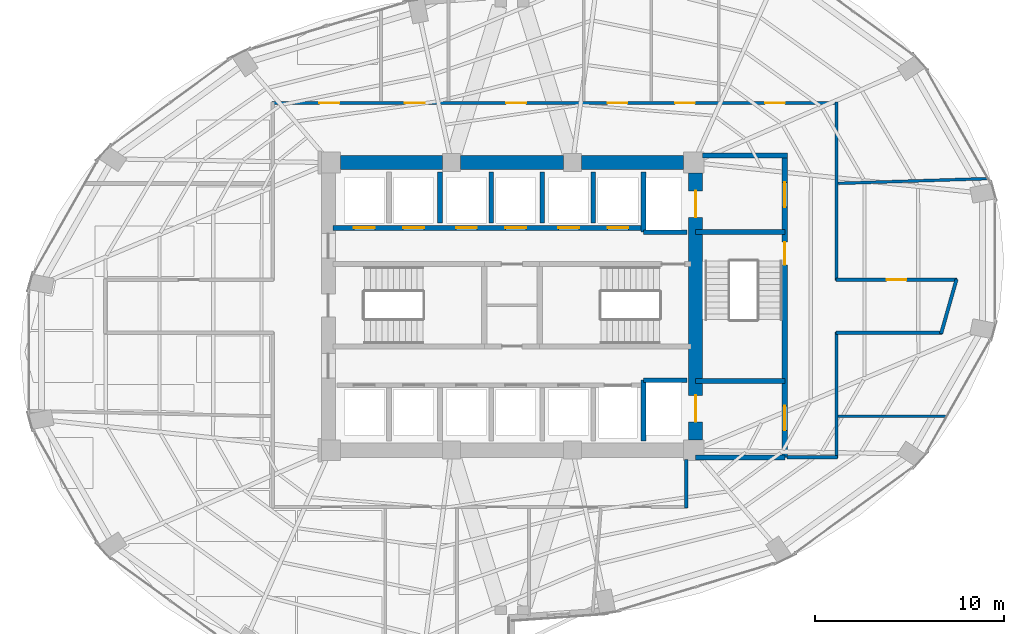
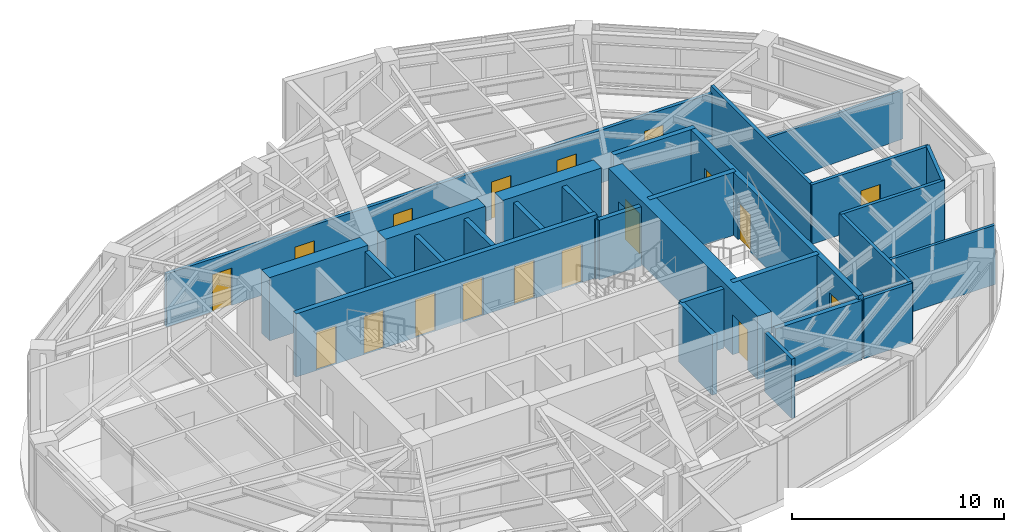
# One storey, part 20 of 23: 28 walls, 18 doors, 18 openings.
"""IFC4 building model written with IfcOpenShell, lengths in metres."""

from ifc_helpers import new_model, si_unit, direction, frame, frame_2d, origin, place, context, subcontext, project, spatial, rectangle, extrude, material, layer, layer_set, type_object, element, fill, save


model = new_model("IFC4")

# Units and contexts
model_context = context("Model", 3, precision=1e-05, world=origin(), true_north=direction((0.0, 1.0)))
body_context = subcontext(model_context, "Body", "Model", "MODEL_VIEW")
ifc_project = project(units=[si_unit("LENGTHUNIT", "METRE"), si_unit("AREAUNIT", "SQUARE_METRE"), si_unit("VOLUMEUNIT", "CUBIC_METRE"), si_unit("PLANEANGLEUNIT", "RADIAN"), si_unit("MASSUNIT", "GRAM", prefix="KILO")], contexts=[model_context])

# Site, building, storey
site_placement = place(None, origin())
site = spatial("IfcSite", under=ifc_project, at=site_placement, CompositionType="ELEMENT")
building_placement = place(site_placement, origin())
building = spatial("IfcBuilding", under=site, at=building_placement, Name="Lazwardi Medical Tower", CompositionType="ELEMENT")
storey_placement = place(building_placement, frame((0.0, 0.0, 81.743896484375)))
storey = spatial("IfcBuildingStorey", under=building, at=storey_placement, Name="L20", CompositionType="ELEMENT", Elevation=81.743896484375)

# Wall, openings, doors
ifc_material_1 = material(Name="Fire-rated gypsum board on steel stud", Category="steel")
ifc_layer_1 = layer(ifc_material_1, 0.179931640625)
ifc_layer_set_1 = layer_set([ifc_layer_1], Name="Fire-rated gypsum board on steel stud")
wall_type_1 = type_object("IfcWallType", Name="WL-COR-180", PredefinedType="PARTITIONING", material=ifc_layer_set_1)
wall_1_placement = place(storey_placement, frame((23.31005859375, 38.75, 0.0), z_axis=(0.0, 0.0, 1.0), x_axis=(1.0, 0.0, 0.0)))
wall_1 = element("IfcWall", 1, at=wall_1_placement, inside=storey, type_object=wall_type_1, Name="L20 Corridor partition 4", PredefinedType="PARTITIONING", context=body_context, shape_type="SweptSolid", body=[
    extrude(rectangle(XDim=29.8798828125, YDim=0.179931640625, at=frame_2d((14.93994140625, 0.0))), origin(), (0.0, 0.0, 1.0), 3.05322265625),
])
opening_1_placement = place(wall_1_placement, frame((26.06591796875, 0.0, 0.0)))
opening_1 = element("IfcOpeningElement", 2, at=opening_1_placement, cuts=wall_1, Name="Opening D-L20-013", PredefinedType="OPENING", context=body_context, shape_type="SweptSolid", body=[
    extrude(rectangle(XDim=1.050048828125, YDim=2.14990234375, at=frame_2d((0.52490234375, 1.074951171875))), frame((0.0, 0.099853515625, 0.0), z_axis=(0.0, -1.0, 0.0), x_axis=(1.0, 0.0, 0.0)), (0.0, 0.0, 1.0), 0.199951171875),
])
opening_2_placement = place(wall_1_placement, frame((21.31005859375, 0.0, 0.0)))
opening_2 = element("IfcOpeningElement", 3, at=opening_2_placement, cuts=wall_1, Name="Opening D-L20-014", PredefinedType="OPENING", context=body_context, shape_type="SweptSolid", body=[
    extrude(rectangle(XDim=1.050048828125, YDim=2.14990234375, at=frame_2d((0.52490234375, 1.074951171875))), frame((0.0, 0.099853515625, 0.0), z_axis=(0.0, -1.0, 0.0), x_axis=(1.0, 0.0, 0.0)), (0.0, 0.0, 1.0), 0.199951171875),
])
opening_3_placement = place(wall_1_placement, frame((17.739990234375, 0.0, 0.0)))
opening_3 = element("IfcOpeningElement", 4, at=opening_3_placement, cuts=wall_1, Name="Opening D-L20-015", PredefinedType="OPENING", context=body_context, shape_type="SweptSolid", body=[
    extrude(rectangle(XDim=1.050048828125, YDim=2.14990234375, at=frame_2d((0.52490234375, 1.074951171875))), frame((0.0, 0.099853515625, 0.0), z_axis=(0.0, -1.0, 0.0), x_axis=(1.0, 0.0, 0.0)), (0.0, 0.0, 1.0), 0.199951171875),
])
opening_4_placement = place(wall_1_placement, frame((12.3798828125, 0.0, 0.0)))
opening_4 = element("IfcOpeningElement", 5, at=opening_4_placement, cuts=wall_1, Name="Opening D-L20-016", PredefinedType="OPENING", context=body_context, shape_type="SweptSolid", body=[
    extrude(rectangle(XDim=1.050048828125, YDim=2.14990234375, at=frame_2d((0.52490234375, 1.074951171875))), frame((0.0, 0.099853515625, 0.0), z_axis=(0.0, -1.0, 0.0), x_axis=(1.0, 0.0, 0.0)), (0.0, 0.0, 1.0), 0.199951171875),
])
opening_5_placement = place(wall_1_placement, frame((7.02001953125, 0.0, 0.0)))
opening_5 = element("IfcOpeningElement", 6, at=opening_5_placement, cuts=wall_1, Name="Opening D-L20-017", PredefinedType="OPENING", context=body_context, shape_type="SweptSolid", body=[
    extrude(rectangle(XDim=1.050048828125, YDim=2.14990234375, at=frame_2d((0.52490234375, 1.074951171875))), frame((0.0, 0.099853515625, 0.0), z_axis=(0.0, -1.0, 0.0), x_axis=(1.0, 0.0, 0.0)), (0.0, 0.0, 1.0), 0.199951171875),
])
opening_6_placement = place(wall_1_placement, frame((2.513916015625, 0.0, 0.0)))
opening_6 = element("IfcOpeningElement", 7, at=opening_6_placement, cuts=wall_1, Name="Opening D-L20-018", PredefinedType="OPENING", context=body_context, shape_type="SweptSolid", body=[
    extrude(rectangle(XDim=1.050048828125, YDim=2.14990234375, at=frame_2d((0.52490234375, 1.074951171875))), frame((0.0, 0.099853515625, 0.0), z_axis=(0.0, -1.0, 0.0), x_axis=(1.0, 0.0, 0.0)), (0.0, 0.0, 1.0), 0.199951171875),
])
ifc_material_2 = material(Name="Anti-microbial laminate hospital leaf")
door_type_1 = type_object("IfcDoorType", Name="DR-CLN-1050", OperationType="NOTDEFINED", PredefinedType="DOOR", material=ifc_material_2)
door_1_placement = place(opening_1_placement, origin())
door_1 = element("IfcDoor", 8, at=door_1_placement, inside=storey, type_object=door_type_1, Name="L20 Outpatient Consultation Suite Door 07", OperationType="SINGLE_SWING_LEFT", OverallHeight=2.14990234375, OverallWidth=1.050048828125, PredefinedType="DOOR", context=body_context, shape_type="SweptSolid", body=[
    extrude(rectangle(XDim=1.050048828125, YDim=2.14990234375, at=frame_2d((0.52490234375, 1.074951171875))), frame((0.0, 0.02490234375, 0.0), z_axis=(0.0, -1.0, 0.0), x_axis=(1.0, 0.0, 0.0)), (0.0, 0.0, 1.0), 0.050048828125),
])
fill(opening_1, door_1)
door_2_placement = place(opening_2_placement, origin())
door_2 = element("IfcDoor", 9, at=door_2_placement, inside=storey, type_object=door_type_1, Name="L20 Outpatient Consultation Suite Door 08", OperationType="SINGLE_SWING_RIGHT", OverallHeight=2.14990234375, OverallWidth=1.050048828125, PredefinedType="DOOR", context=body_context, shape_type="SweptSolid", body=[
    extrude(rectangle(XDim=1.050048828125, YDim=2.14990234375, at=frame_2d((0.52490234375, 1.074951171875))), frame((0.0, 0.02490234375, 0.0), z_axis=(0.0, -1.0, 0.0), x_axis=(1.0, 0.0, 0.0)), (0.0, 0.0, 1.0), 0.050048828125),
])
fill(opening_2, door_2)
door_3_placement = place(opening_3_placement, origin())
door_3 = element("IfcDoor", 10, at=door_3_placement, inside=storey, type_object=door_type_1, Name="L20 Outpatient Consultation Suite Door 09", OperationType="SINGLE_SWING_LEFT", OverallHeight=2.14990234375, OverallWidth=1.050048828125, PredefinedType="DOOR", context=body_context, shape_type="SweptSolid", body=[
    extrude(rectangle(XDim=1.050048828125, YDim=2.14990234375, at=frame_2d((0.52490234375, 1.074951171875))), frame((0.0, 0.02490234375, 0.0), z_axis=(0.0, -1.0, 0.0), x_axis=(1.0, 0.0, 0.0)), (0.0, 0.0, 1.0), 0.050048828125),
])
fill(opening_3, door_3)
door_4_placement = place(opening_4_placement, origin())
door_4 = element("IfcDoor", 11, at=door_4_placement, inside=storey, type_object=door_type_1, Name="L20 Outpatient Consultation Suite Door 10", OperationType="SINGLE_SWING_RIGHT", OverallHeight=2.14990234375, OverallWidth=1.050048828125, PredefinedType="DOOR", context=body_context, shape_type="SweptSolid", body=[
    extrude(rectangle(XDim=1.050048828125, YDim=2.14990234375, at=frame_2d((0.52490234375, 1.074951171875))), frame((0.0, 0.02490234375, 0.0), z_axis=(0.0, -1.0, 0.0), x_axis=(1.0, 0.0, 0.0)), (0.0, 0.0, 1.0), 0.050048828125),
])
fill(opening_4, door_4)
door_5_placement = place(opening_5_placement, origin())
door_5 = element("IfcDoor", 12, at=door_5_placement, inside=storey, type_object=door_type_1, Name="L20 Outpatient Consultation Suite Door 11", OperationType="SINGLE_SWING_LEFT", OverallHeight=2.14990234375, OverallWidth=1.050048828125, PredefinedType="DOOR", context=body_context, shape_type="SweptSolid", body=[
    extrude(rectangle(XDim=1.050048828125, YDim=2.14990234375, at=frame_2d((0.52490234375, 1.074951171875))), frame((0.0, 0.02490234375, 0.0), z_axis=(0.0, -1.0, 0.0), x_axis=(1.0, 0.0, 0.0)), (0.0, 0.0, 1.0), 0.050048828125),
])
fill(opening_5, door_5)
door_6_placement = place(opening_6_placement, origin())
door_6 = element("IfcDoor", 13, at=door_6_placement, inside=storey, type_object=door_type_1, Name="L20 Outpatient Consultation Suite Door 12", OperationType="SINGLE_SWING_RIGHT", OverallHeight=2.14990234375, OverallWidth=1.050048828125, PredefinedType="DOOR", context=body_context, shape_type="SweptSolid", body=[
    extrude(rectangle(XDim=1.050048828125, YDim=2.14990234375, at=frame_2d((0.52490234375, 1.074951171875))), frame((0.0, 0.02490234375, 0.0), z_axis=(0.0, -1.0, 0.0), x_axis=(1.0, 0.0, 0.0)), (0.0, 0.0, 1.0), 0.050048828125),
])
fill(opening_6, door_6)

# Wall
wall_2_placement = place(storey_placement, frame((53.14990234375, 38.7900390625, 0.0), z_axis=(0.0, 0.0, 1.0), x_axis=(0.0, -1.0, 0.0)))
element("IfcWall", 14, at=wall_2_placement, inside=storey, type_object=wall_type_1, Name="L20 Corridor partition 5", PredefinedType="PARTITIONING", context=body_context, shape_type="SweptSolid", body=[
    extrude(rectangle(XDim=9.429931640625, YDim=0.179931640625, at=frame_2d((4.71484375, 0.0))), origin(), (0.0, 0.0, 1.0), 3.42822265625),
])

# Wall, opening, door
wall_3_placement = place(storey_placement, frame((53.110107421875, 29.39990234375, 0.0), z_axis=(0.0, 0.0, 1.0), x_axis=(1.0, 0.0, 0.0)))
wall_3 = element("IfcWall", 15, at=wall_3_placement, inside=storey, type_object=wall_type_1, Name="L20 Corridor partition 6", PredefinedType="PARTITIONING", context=body_context, shape_type="SweptSolid", body=[
    extrude(rectangle(XDim=6.41259765625, YDim=0.179931640625, at=frame_2d((3.206298828125, 0.0))), origin(), (0.0, 0.0, 1.0), 3.42822265625),
])
opening_7_placement = place(wall_3_placement, frame((2.681396484375, 0.0, 0.0)))
opening_7 = element("IfcOpeningElement", 16, at=opening_7_placement, cuts=wall_3, Name="Opening D-L20-012", PredefinedType="OPENING", context=body_context, shape_type="SweptSolid", body=[
    extrude(rectangle(XDim=1.050048828125, YDim=2.14990234375, at=frame_2d((0.52490234375, 1.074951171875))), frame((0.0, 0.099853515625, 0.0), z_axis=(0.0, -1.0, 0.0), x_axis=(1.0, 0.0, 0.0)), (0.0, 0.0, 1.0), 0.199951171875),
])
door_7_placement = place(opening_7_placement, origin())
door_7 = element("IfcDoor", 17, at=door_7_placement, inside=storey, type_object=door_type_1, Name="L20 Outpatient Consultation Suite Door 06", OperationType="SINGLE_SWING_RIGHT", OverallHeight=2.14990234375, OverallWidth=1.050048828125, PredefinedType="DOOR", context=body_context, shape_type="SweptSolid", body=[
    extrude(rectangle(XDim=1.050048828125, YDim=2.14990234375, at=frame_2d((0.52490234375, 1.074951171875))), frame((0.0, 0.02490234375, 0.0), z_axis=(0.0, -1.0, 0.0), x_axis=(1.0, 0.0, 0.0)), (0.0, 0.0, 1.0), 0.050048828125),
])
fill(opening_7, door_7)

# Walls
wall_4_placement = place(storey_placement, frame((59.49365234375, 29.4384765625, 0.0), z_axis=(0.0, 0.0, 1.0), x_axis=(-0.273222154729, -0.961950962453, 0.0)))
element("IfcWall", 18, at=wall_4_placement, inside=storey, type_object=wall_type_1, Name="L20 Corridor partition 7", PredefinedType="PARTITIONING", context=body_context, shape_type="SweptSolid", body=[
    extrude(rectangle(XDim=2.99072265625, YDim=0.179931640625, at=frame_2d((1.495361328125, 0.0))), origin(), (0.0, 0.0, 1.0), 3.42822265625),
])
wall_5_placement = place(storey_placement, frame((58.727294921875, 26.60009765625, 0.0), z_axis=(0.0, 0.0, 1.0), x_axis=(-1.0, 0.0, 0.0)))
element("IfcWall", 19, at=wall_5_placement, inside=storey, type_object=wall_type_1, Name="L20 Corridor partition 8", PredefinedType="PARTITIONING", context=body_context, shape_type="SweptSolid", body=[
    extrude(rectangle(XDim=5.6171875, YDim=0.179931640625, at=frame_2d((2.80859375, 0.0))), origin(), (0.0, 0.0, 1.0), 3.42822265625),
])
wall_6_placement = place(storey_placement, frame((53.14990234375, 26.639892578125, 0.0), z_axis=(0.0, 0.0, 1.0), x_axis=(0.0, -1.0, 0.0)))
element("IfcWall", 20, at=wall_6_placement, inside=storey, type_object=wall_type_1, Name="L20 Corridor partition 9", PredefinedType="PARTITIONING", context=body_context, shape_type="SweptSolid", body=[
    extrude(rectangle(XDim=6.659912109375, YDim=0.179931640625, at=frame_2d((3.330078125, 0.0))), origin(), (0.0, 0.0, 1.0), 3.42822265625),
])
wall_7_placement = place(storey_placement, frame((53.18994140625, 20.02001953125, 0.0), z_axis=(0.0, 0.0, 1.0), x_axis=(-1.0, 0.0, 0.0)))
element("IfcWall", 21, at=wall_7_placement, inside=storey, type_object=wall_type_1, Name="L20 Corridor partition 10", PredefinedType="PARTITIONING", context=body_context, shape_type="SweptSolid", body=[
    extrude(rectangle(XDim=2.64990234375, YDim=0.179931640625, at=frame_2d((1.324951171875, 0.0))), origin(), (0.0, 0.0, 1.0), 3.42822265625),
])
wall_8_placement = place(storey_placement, frame((45.199951171875, 19.909912109375, 0.0), z_axis=(0.0, 0.0, 1.0), x_axis=(0.0, -1.0, 0.0)))
element("IfcWall", 22, at=wall_8_placement, inside=storey, type_object=wall_type_1, Name="L20 Corridor partition 13", PredefinedType="PARTITIONING", context=body_context, shape_type="SweptSolid", body=[
    extrude(rectangle(XDim=2.5498046875, YDim=0.179931640625, at=frame_2d((1.27490234375, 0.0))), origin(), (0.0, 0.0, 1.0), 3.42822265625),
])

# Wall, openings, doors
ifc_material_3 = material(Name="Concrete C70/85", Category="concrete")
ifc_layer_2 = layer(ifc_material_3, 0.75)
ifc_layer_set_2 = layer_set([ifc_layer_2], Name="Concrete C70/85")
wall_type_2 = type_object("IfcWallType", Name="WL-CORE-750", PredefinedType="SHEAR", material=ifc_layer_set_2)
wall_9_placement = place(storey_placement, frame((45.699951171875, 20.949951171875, 0.0), z_axis=(0.0, 0.0, 1.0), x_axis=(0.0, 1.0, 0.0)))
wall_9 = element("IfcWall", 23, at=wall_9_placement, inside=storey, type_object=wall_type_2, Name="Core wall CW-S2 east L20", PredefinedType="SHEAR", context=body_context, shape_type="SweptSolid", body=[
    extrude(rectangle(XDim=14.10009765625, YDim=0.75, at=frame_2d((7.050048828125, 0.0))), origin(), (0.0, 0.0, 1.0), 3.648193359375),
])
opening_8_placement = place(wall_9_placement, frame((11.75, 0.0, 0.0)))
opening_8 = element("IfcOpeningElement", 24, at=opening_8_placement, cuts=wall_9, Name="Opening LD-L20-001", PredefinedType="OPENING", context=body_context, shape_type="SweptSolid", body=[
    extrude(rectangle(XDim=1.39990234375, YDim=2.300048828125, at=frame_2d((0.699951171875, 1.14990234375))), frame((0.0, 0.385009765625, 0.0), z_axis=(0.0, -1.0, 0.0), x_axis=(1.0, 0.0, 0.0)), (0.0, 0.0, 1.0), 0.77001953125),
])
opening_9_placement = place(wall_9_placement, frame((0.949951171875, 0.0, 0.0)))
opening_9 = element("IfcOpeningElement", 25, at=opening_9_placement, cuts=wall_9, Name="Opening LD-L20-002", PredefinedType="OPENING", context=body_context, shape_type="SweptSolid", body=[
    extrude(rectangle(XDim=1.39990234375, YDim=2.300048828125, at=frame_2d((0.699951171875, 1.14990234375))), frame((0.0, 0.385009765625, 0.0), z_axis=(0.0, -1.0, 0.0), x_axis=(1.0, 0.0, 0.0)), (0.0, 0.0, 1.0), 0.77001953125),
])
ifc_material_4 = material(Name="Brushed stainless steel bed-lift landing door", Category="steel")
door_type_2 = type_object("IfcDoorType", Name="DR-LFT-1400", OperationType="NOTDEFINED", PredefinedType="DOOR", material=ifc_material_4)
door_8_placement = place(opening_8_placement, origin())
door_8 = element("IfcDoor", 26, at=door_8_placement, inside=storey, type_object=door_type_2, Name="L20 Lift Landing Door FL-01", OperationType="SLIDING_TO_LEFT", OverallHeight=2.300048828125, OverallWidth=1.39990234375, PredefinedType="DOOR", context=body_context, shape_type="SweptSolid", body=[
    extrude(rectangle(XDim=1.39990234375, YDim=2.300048828125, at=frame_2d((0.699951171875, 1.14990234375))), frame((0.0, 0.02490234375, 0.0), z_axis=(0.0, -1.0, 0.0), x_axis=(1.0, 0.0, 0.0)), (0.0, 0.0, 1.0), 0.050048828125),
])
fill(opening_8, door_8)
door_9_placement = place(opening_9_placement, origin())
door_9 = element("IfcDoor", 27, at=door_9_placement, inside=storey, type_object=door_type_2, Name="L20 Lift Landing Door FL-02", OperationType="SLIDING_TO_LEFT", OverallHeight=2.300048828125, OverallWidth=1.39990234375, PredefinedType="DOOR", context=body_context, shape_type="SweptSolid", body=[
    extrude(rectangle(XDim=1.39990234375, YDim=2.300048828125, at=frame_2d((0.699951171875, 1.14990234375))), frame((0.0, 0.02490234375, 0.0), z_axis=(0.0, -1.0, 0.0), x_axis=(1.0, 0.0, 0.0)), (0.0, 0.0, 1.0), 0.050048828125),
])
fill(opening_9, door_9)

# Walls
wall_10_placement = place(storey_placement, frame((26.949951171875, 35.60009765625, 0.0), z_axis=(0.0, 0.0, 1.0), x_axis=(1.0, 0.0, 0.0)))
element("IfcWall", 28, at=wall_10_placement, inside=storey, type_object=wall_type_2, Name="Core wall CW-S2 N1 L20", PredefinedType="SHEAR", context=body_context, shape_type="SweptSolid", body=[
    extrude(rectangle(XDim=5.375, YDim=0.75, at=frame_2d((2.6875, 0.0))), origin(), (0.0, 0.0, 1.0), 3.648193359375),
])
wall_11_placement = place(storey_placement, frame((33.27490234375, 35.60009765625, 0.0), z_axis=(0.0, 0.0, 1.0), x_axis=(1.0, 0.0, 0.0)))
element("IfcWall", 29, at=wall_11_placement, inside=storey, type_object=wall_type_2, Name="Core wall CW-S2 N2 L20", PredefinedType="SHEAR", context=body_context, shape_type="SweptSolid", body=[
    extrude(rectangle(XDim=5.4501953125, YDim=0.75, at=frame_2d((2.72509765625, 0.0))), origin(), (0.0, 0.0, 1.0), 3.648193359375),
])
wall_12_placement = place(storey_placement, frame((39.675048828125, 35.60009765625, 0.0), z_axis=(0.0, 0.0, 1.0), x_axis=(1.0, 0.0, 0.0)))
element("IfcWall", 30, at=wall_12_placement, inside=storey, type_object=wall_type_2, Name="Core wall CW-S2 N3 L20", PredefinedType="SHEAR", context=body_context, shape_type="SweptSolid", body=[
    extrude(rectangle(XDim=5.375, YDim=0.75, at=frame_2d((2.6875, 0.0))), origin(), (0.0, 0.0, 1.0), 3.648193359375),
])
ifc_material_5 = material(Name="Autoclaved aerated concrete blockwork", Category="masonry")
ifc_layer_3 = layer(ifc_material_5, 0.25)
ifc_layer_set_3 = layer_set([ifc_layer_3], Name="Autoclaved aerated concrete blockwork")
wall_type_3 = type_object("IfcWallType", Name="WL-SHAFT-250", PredefinedType="SOLIDWALL", material=ifc_layer_set_3)
wall_13_placement = place(storey_placement, frame((42.949951171875, 31.919921875, 0.0), z_axis=(0.0, 0.0, 1.0), x_axis=(0.0, 1.0, 0.0)))
element("IfcWall", 31, at=wall_13_placement, inside=storey, type_object=wall_type_3, Name="L20 FL-01 West shaft wall", PredefinedType="SOLIDWALL", context=body_context, shape_type="SweptSolid", body=[
    extrude(rectangle(XDim=3.18017578125, YDim=0.25, at=frame_2d((1.590087890625, 0.0))), origin(), (0.0, 0.0, 1.0), 3.42822265625),
])
wall_14_placement = place(storey_placement, frame((42.949951171875, 31.919921875, 0.0), z_axis=(0.0, 0.0, 1.0), x_axis=(1.0, 0.0, 0.0)))
element("IfcWall", 32, at=wall_14_placement, inside=storey, type_object=wall_type_3, Name="L20 FL-01 South shaft wall", PredefinedType="SOLIDWALL", context=body_context, shape_type="SweptSolid", body=[
    extrude(rectangle(XDim=2.300048828125, YDim=0.25, at=frame_2d((1.14990234375, 0.0))), origin(), (0.0, 0.0, 1.0), 3.42822265625),
])
wall_15_placement = place(storey_placement, frame((42.949951171875, 20.89990234375, 0.0), z_axis=(0.0, 0.0, 1.0), x_axis=(0.0, 1.0, 0.0)))
element("IfcWall", 33, at=wall_15_placement, inside=storey, type_object=wall_type_3, Name="L20 FL-02 West shaft wall", PredefinedType="SOLIDWALL", context=body_context, shape_type="SweptSolid", body=[
    extrude(rectangle(XDim=3.2001953125, YDim=0.25, at=frame_2d((1.60009765625, 0.0))), origin(), (0.0, 0.0, 1.0), 3.42822265625),
])
wall_16_placement = place(storey_placement, frame((42.949951171875, 24.10009765625, 0.0), z_axis=(0.0, 0.0, 1.0), x_axis=(1.0, 0.0, 0.0)))
element("IfcWall", 34, at=wall_16_placement, inside=storey, type_object=wall_type_3, Name="L20 FL-02 North shaft wall", PredefinedType="SOLIDWALL", context=body_context, shape_type="SweptSolid", body=[
    extrude(rectangle(XDim=2.300048828125, YDim=0.25, at=frame_2d((1.14990234375, 0.0))), origin(), (0.0, 0.0, 1.0), 3.42822265625),
])
for number, where, z_axis, x_axis, name in (
    (35, (32.199951171875, 32.419921875, 0.0), (0.0, 0.0, 1.0), (0.0, 1.0, 0.0), "L20 North hoistway divider"),
    (36, (34.89990234375, 32.419921875, 0.0), (0.0, 0.0, 1.0), (0.0, 1.0, 0.0), "L20 North hoistway divider"),
    (37, (37.60009765625, 32.419921875, 0.0), (0.0, 0.0, 1.0), (0.0, 1.0, 0.0), "L20 North hoistway divider"),
    (38, (40.300048828125, 32.419921875, 0.0), (0.0, 0.0, 1.0), (0.0, 1.0, 0.0), "L20 North hoistway divider"),
):
    element("IfcWall", number, at=place(storey_placement, frame(where, z_axis=z_axis, x_axis=x_axis)), inside=storey, type_object=wall_type_3, Name=name, PredefinedType="SOLIDWALL", context=body_context, shape_type="SweptSolid", body=[
        extrude(rectangle(XDim=2.68017578125, YDim=0.25, at=frame_2d((1.340087890625, 0.0))), origin(), (0.0, 0.0, 1.0), 3.42822265625),
    ])
wall_17_placement = place(storey_placement, frame((45.699951171875, 20.02001953125, 0.0), z_axis=(0.0, 0.0, 1.0), x_axis=(1.0, 0.0, 0.0)))
element("IfcWall", 39, at=wall_17_placement, inside=storey, type_object=wall_type_3, Name="L20 FFL-S South wall", PredefinedType="SOLIDWALL", context=body_context, shape_type="SweptSolid", body=[
    extrude(rectangle(XDim=4.715087890625, YDim=0.25, at=frame_2d((2.357421875, 0.0))), origin(), (0.0, 0.0, 1.0), 3.42822265625),
])

# Wall, openings, doors
ifc_material_6 = material(Name="Concrete C50/60", Category="concrete")
ifc_layer_4 = layer(ifc_material_6, 0.27001953125)
ifc_layer_set_4 = layer_set([ifc_layer_4], Name="Concrete C50/60")
wall_type_4 = type_object("IfcWallType", Name="WL-STR-250", PredefinedType="SHEAR", material=ifc_layer_set_4)
wall_18_placement = place(storey_placement, frame((26.550048828125, 32.14990234375, 0.0), z_axis=(0.0, 0.0, 1.0), x_axis=(1.0, 0.0, 0.0)))
wall_18 = element("IfcWall", 40, at=wall_18_placement, inside=storey, type_object=wall_type_4, Name="L20 North lift bank shear wall SW-S1", PredefinedType="SHEAR", context=body_context, shape_type="SweptSolid", body=[
    extrude(rectangle(XDim=16.39990234375, YDim=0.27001953125, at=frame_2d((8.199951171875, 0.0))), origin(), (0.0, 0.0, 1.0), 3.648193359375),
])
opening_10_placement = place(wall_18_placement, frame((1.10009765625, 0.0, 0.0)))
opening_10 = element("IfcOpeningElement", 41, at=opening_10_placement, cuts=wall_18, Name="Opening LD-L20-004", PredefinedType="OPENING", context=body_context, shape_type="SweptSolid", body=[
    extrude(rectangle(XDim=1.10009765625, YDim=2.199951171875, at=frame_2d((0.550048828125, 1.10009765625))), frame((0.0, 0.14501953125, 0.0), z_axis=(0.0, -1.0, 0.0), x_axis=(1.0, 0.0, 0.0)), (0.0, 0.0, 1.0), 0.2900390625),
])
opening_11_placement = place(wall_18_placement, frame((3.699951171875, 0.0, 0.0)))
opening_11 = element("IfcOpeningElement", 42, at=opening_11_placement, cuts=wall_18, Name="Opening LD-L20-005", PredefinedType="OPENING", context=body_context, shape_type="SweptSolid", body=[
    extrude(rectangle(XDim=1.10009765625, YDim=2.199951171875, at=frame_2d((0.550048828125, 1.10009765625))), frame((0.0, 0.14501953125, 0.0), z_axis=(0.0, -1.0, 0.0), x_axis=(1.0, 0.0, 0.0)), (0.0, 0.0, 1.0), 0.2900390625),
])
opening_12_placement = place(wall_18_placement, frame((6.5, 0.0, 0.0)))
opening_12 = element("IfcOpeningElement", 43, at=opening_12_placement, cuts=wall_18, Name="Opening LD-L20-008", PredefinedType="OPENING", context=body_context, shape_type="SweptSolid", body=[
    extrude(rectangle(XDim=1.10009765625, YDim=2.199951171875, at=frame_2d((0.550048828125, 1.10009765625))), frame((0.0, 0.14501953125, 0.0), z_axis=(0.0, -1.0, 0.0), x_axis=(1.0, 0.0, 0.0)), (0.0, 0.0, 1.0), 0.2900390625),
])
opening_13_placement = place(wall_18_placement, frame((9.10009765625, 0.0, 0.0)))
opening_13 = element("IfcOpeningElement", 44, at=opening_13_placement, cuts=wall_18, Name="Opening LD-L20-009", PredefinedType="OPENING", context=body_context, shape_type="SweptSolid", body=[
    extrude(rectangle(XDim=1.10009765625, YDim=2.199951171875, at=frame_2d((0.550048828125, 1.10009765625))), frame((0.0, 0.14501953125, 0.0), z_axis=(0.0, -1.0, 0.0), x_axis=(1.0, 0.0, 0.0)), (0.0, 0.0, 1.0), 0.2900390625),
])
opening_14_placement = place(wall_18_placement, frame((11.89990234375, 0.0, 0.0)))
opening_14 = element("IfcOpeningElement", 45, at=opening_14_placement, cuts=wall_18, Name="Opening LD-L20-012", PredefinedType="OPENING", context=body_context, shape_type="SweptSolid", body=[
    extrude(rectangle(XDim=1.10009765625, YDim=2.199951171875, at=frame_2d((0.550048828125, 1.10009765625))), frame((0.0, 0.14501953125, 0.0), z_axis=(0.0, -1.0, 0.0), x_axis=(1.0, 0.0, 0.0)), (0.0, 0.0, 1.0), 0.2900390625),
])
opening_15_placement = place(wall_18_placement, frame((14.5, 0.0, 0.0)))
opening_15 = element("IfcOpeningElement", 46, at=opening_15_placement, cuts=wall_18, Name="Opening LD-L20-013", PredefinedType="OPENING", context=body_context, shape_type="SweptSolid", body=[
    extrude(rectangle(XDim=1.10009765625, YDim=2.199951171875, at=frame_2d((0.550048828125, 1.10009765625))), frame((0.0, 0.14501953125, 0.0), z_axis=(0.0, -1.0, 0.0), x_axis=(1.0, 0.0, 0.0)), (0.0, 0.0, 1.0), 0.2900390625),
])
ifc_material_7 = material(Name="Brushed bronze stainless steel landing door", Category="steel")
door_type_3 = type_object("IfcDoorType", Name="DR-LFT-1100", OperationType="NOTDEFINED", PredefinedType="DOOR", material=ifc_material_7)
door_10_placement = place(opening_10_placement, origin())
door_10 = element("IfcDoor", 47, at=door_10_placement, inside=storey, type_object=door_type_3, Name="L20 Lift Landing Door PL-01", OperationType="SLIDING_TO_LEFT", OverallHeight=2.199951171875, OverallWidth=1.10009765625, PredefinedType="DOOR", context=body_context, shape_type="SweptSolid", body=[
    extrude(rectangle(XDim=1.10009765625, YDim=2.199951171875, at=frame_2d((0.550048828125, 1.10009765625))), frame((0.0, 0.02490234375, 0.0), z_axis=(0.0, -1.0, 0.0), x_axis=(1.0, 0.0, 0.0)), (0.0, 0.0, 1.0), 0.050048828125),
])
fill(opening_10, door_10)
door_11_placement = place(opening_11_placement, origin())
door_11 = element("IfcDoor", 48, at=door_11_placement, inside=storey, type_object=door_type_3, Name="L20 Lift Landing Door PL-02", OperationType="SLIDING_TO_LEFT", OverallHeight=2.199951171875, OverallWidth=1.10009765625, PredefinedType="DOOR", context=body_context, shape_type="SweptSolid", body=[
    extrude(rectangle(XDim=1.10009765625, YDim=2.199951171875, at=frame_2d((0.550048828125, 1.10009765625))), frame((0.0, 0.02490234375, 0.0), z_axis=(0.0, -1.0, 0.0), x_axis=(1.0, 0.0, 0.0)), (0.0, 0.0, 1.0), 0.050048828125),
])
fill(opening_11, door_11)
door_12_placement = place(opening_12_placement, origin())
door_12 = element("IfcDoor", 49, at=door_12_placement, inside=storey, type_object=door_type_3, Name="L20 Lift Landing Door PL-05", OperationType="SLIDING_TO_LEFT", OverallHeight=2.199951171875, OverallWidth=1.10009765625, PredefinedType="DOOR", context=body_context, shape_type="SweptSolid", body=[
    extrude(rectangle(XDim=1.10009765625, YDim=2.199951171875, at=frame_2d((0.550048828125, 1.10009765625))), frame((0.0, 0.02490234375, 0.0), z_axis=(0.0, -1.0, 0.0), x_axis=(1.0, 0.0, 0.0)), (0.0, 0.0, 1.0), 0.050048828125),
])
fill(opening_12, door_12)
door_13_placement = place(opening_13_placement, origin())
door_13 = element("IfcDoor", 50, at=door_13_placement, inside=storey, type_object=door_type_3, Name="L20 Lift Landing Door PL-06", OperationType="SLIDING_TO_LEFT", OverallHeight=2.199951171875, OverallWidth=1.10009765625, PredefinedType="DOOR", context=body_context, shape_type="SweptSolid", body=[
    extrude(rectangle(XDim=1.10009765625, YDim=2.199951171875, at=frame_2d((0.550048828125, 1.10009765625))), frame((0.0, 0.02490234375, 0.0), z_axis=(0.0, -1.0, 0.0), x_axis=(1.0, 0.0, 0.0)), (0.0, 0.0, 1.0), 0.050048828125),
])
fill(opening_13, door_13)
door_14_placement = place(opening_14_placement, origin())
door_14 = element("IfcDoor", 51, at=door_14_placement, inside=storey, type_object=door_type_3, Name="L20 Lift Landing Door PL-09", OperationType="SLIDING_TO_LEFT", OverallHeight=2.199951171875, OverallWidth=1.10009765625, PredefinedType="DOOR", context=body_context, shape_type="SweptSolid", body=[
    extrude(rectangle(XDim=1.10009765625, YDim=2.199951171875, at=frame_2d((0.550048828125, 1.10009765625))), frame((0.0, 0.02490234375, 0.0), z_axis=(0.0, -1.0, 0.0), x_axis=(1.0, 0.0, 0.0)), (0.0, 0.0, 1.0), 0.050048828125),
])
fill(opening_14, door_14)
door_15_placement = place(opening_15_placement, origin())
door_15 = element("IfcDoor", 52, at=door_15_placement, inside=storey, type_object=door_type_3, Name="L20 Lift Landing Door PL-10", OperationType="SLIDING_TO_LEFT", OverallHeight=2.199951171875, OverallWidth=1.10009765625, PredefinedType="DOOR", context=body_context, shape_type="SweptSolid", body=[
    extrude(rectangle(XDim=1.10009765625, YDim=2.199951171875, at=frame_2d((0.550048828125, 1.10009765625))), frame((0.0, 0.02490234375, 0.0), z_axis=(0.0, -1.0, 0.0), x_axis=(1.0, 0.0, 0.0)), (0.0, 0.0, 1.0), 0.050048828125),
])
fill(opening_15, door_15)

wall_19_placement = place(storey_placement, frame((50.4150390625, 35.844970703125, 0.0), z_axis=(0.0, 0.0, 1.0), x_axis=(0.0, -1.0, 0.0)))
wall_19 = element("IfcWall", 53, at=wall_19_placement, inside=storey, type_object=wall_type_4, Name="L20 East ST3 & FFL shear wall SW-S1", PredefinedType="SHEAR", context=body_context, shape_type="SweptSolid", body=[
    extrude(rectangle(XDim=15.824951171875, YDim=0.27001953125, at=frame_2d((7.91259765625, 0.0))), origin(), (0.0, 0.0, 1.0), 3.648193359375),
])
opening_16_placement = place(wall_19_placement, frame((4.445068359375, 0.0, 0.0)))
opening_16 = element("IfcOpeningElement", 54, at=opening_16_placement, cuts=wall_19, Name="Opening D-L20-022", PredefinedType="OPENING", context=body_context, shape_type="SweptSolid", body=[
    extrude(rectangle(XDim=1.199951171875, YDim=2.14990234375, at=frame_2d((0.60009765625, 1.074951171875))), frame((0.0, 0.14501953125, 0.0), z_axis=(0.0, -1.0, 0.0), x_axis=(1.0, 0.0, 0.0)), (0.0, 0.0, 1.0), 0.2900390625),
])
opening_17_placement = place(wall_19_placement, frame((1.294921875, 0.0, 0.0)))
opening_17 = element("IfcOpeningElement", 55, at=opening_17_placement, cuts=wall_19, Name="Opening D-L20-003", PredefinedType="OPENING", context=body_context, shape_type="SweptSolid", body=[
    extrude(rectangle(XDim=1.300048828125, YDim=2.199951171875, at=frame_2d((0.64990234375, 1.10009765625))), frame((0.0, 0.14501953125, 0.0), z_axis=(0.0, -1.0, 0.0), x_axis=(1.0, 0.0, 0.0)), (0.0, 0.0, 1.0), 0.2900390625),
])
opening_18_placement = place(wall_19_placement, frame((13.094970703125, 0.0, 0.0)))
opening_18 = element("IfcOpeningElement", 56, at=opening_18_placement, cuts=wall_19, Name="Opening D-L20-004", PredefinedType="OPENING", context=body_context, shape_type="SweptSolid", body=[
    extrude(rectangle(XDim=1.300048828125, YDim=2.199951171875, at=frame_2d((0.64990234375, 1.10009765625))), frame((0.0, 0.14501953125, 0.0), z_axis=(0.0, -1.0, 0.0), x_axis=(1.0, 0.0, 0.0)), (0.0, 0.0, 1.0), 0.2900390625),
])
ifc_material_8 = material(Name="Fire-rated steel leaf and frame", Category="steel")
door_type_4 = type_object("IfcDoorType", Name="DR-FFL-1300", OperationType="NOTDEFINED", PredefinedType="DOOR", material=ifc_material_8)
door_16_placement = place(opening_17_placement, origin())
door_16 = element("IfcDoor", 57, at=door_16_placement, inside=storey, type_object=door_type_4, Name="L20 Fire-Fighting Lobby North Door", OperationType="SINGLE_SWING_LEFT", OverallHeight=2.199951171875, OverallWidth=1.300048828125, PredefinedType="DOOR", context=body_context, shape_type="SweptSolid", body=[
    extrude(rectangle(XDim=1.300048828125, YDim=2.199951171875, at=frame_2d((0.64990234375, 1.10009765625))), frame((0.0, 0.02490234375, 0.0), z_axis=(0.0, -1.0, 0.0), x_axis=(1.0, 0.0, 0.0)), (0.0, 0.0, 1.0), 0.050048828125),
])
fill(opening_17, door_16)
door_17_placement = place(opening_18_placement, origin())
door_17 = element("IfcDoor", 58, at=door_17_placement, inside=storey, type_object=door_type_4, Name="L20 Fire-Fighting Lobby South Door", OperationType="SINGLE_SWING_RIGHT", OverallHeight=2.199951171875, OverallWidth=1.300048828125, PredefinedType="DOOR", context=body_context, shape_type="SweptSolid", body=[
    extrude(rectangle(XDim=1.300048828125, YDim=2.199951171875, at=frame_2d((0.64990234375, 1.10009765625))), frame((0.0, 0.02490234375, 0.0), z_axis=(0.0, -1.0, 0.0), x_axis=(1.0, 0.0, 0.0)), (0.0, 0.0, 1.0), 0.050048828125),
])
fill(opening_18, door_17)
door_type_5 = type_object("IfcDoorType", Name="DR-STR-1200", OperationType="NOTDEFINED", PredefinedType="DOOR", material=ifc_material_8)
door_18_placement = place(opening_16_placement, origin())
door_18 = element("IfcDoor", 59, at=door_18_placement, inside=storey, type_object=door_type_5, Name="L20 Exit Stair ST3 Door", OperationType="SINGLE_SWING_RIGHT", OverallHeight=2.14990234375, OverallWidth=1.199951171875, PredefinedType="DOOR", context=body_context, shape_type="SweptSolid", body=[
    extrude(rectangle(XDim=1.199951171875, YDim=2.14990234375, at=frame_2d((0.60009765625, 1.074951171875))), frame((0.0, 0.02490234375, 0.0), z_axis=(0.0, -1.0, 0.0), x_axis=(1.0, 0.0, 0.0)), (0.0, 0.0, 1.0), 0.050048828125),
])
fill(opening_16, door_18)

# Walls
wall_20_placement = place(storey_placement, frame((46.074951171875, 35.97998046875, 0.0), z_axis=(0.0, 0.0, 1.0), x_axis=(1.0, 0.0, 0.0)))
element("IfcWall", 60, at=wall_20_placement, inside=storey, type_object=wall_type_4, Name="L20 FFL-N North shear wall SW-S1", PredefinedType="SHEAR", context=body_context, shape_type="SweptSolid", body=[
    extrude(rectangle(XDim=4.47509765625, YDim=0.27001953125, at=frame_2d((2.237548828125, 0.0))), origin(), (0.0, 0.0, 1.0), 3.648193359375),
])
for number, where, z_axis, x_axis, name in (
    (61, (45.699951171875, 31.93505859375, 0.0), (0.0, 0.0, 1.0), (1.0, 0.0, 0.0), "L20 ST3 North shear shaft wall SW-S1"),
    (62, (45.699951171875, 24.06494140625, 0.0), (0.0, 0.0, 1.0), (1.0, 0.0, 0.0), "L20 ST3 South shear shaft wall SW-S1"),
):
    element("IfcWall", number, at=place(storey_placement, frame(where, z_axis=z_axis, x_axis=x_axis)), inside=storey, type_object=wall_type_4, Name=name, PredefinedType="SHEAR", context=body_context, shape_type="SweptSolid", body=[
        extrude(rectangle(XDim=4.715087890625, YDim=0.27001953125, at=frame_2d((2.357421875, 0.0))), origin(), (0.0, 0.0, 1.0), 3.648193359375),
    ])
ifc_material_9 = material(Name="Acoustic gypsum board partition")
ifc_layer_5 = layer(ifc_material_9, 0.14990234375)
ifc_layer_set_5 = layer_set([ifc_layer_5], Name="Acoustic gypsum board partition")
wall_type_5 = type_object("IfcWallType", Name="WL-WRD-150", PredefinedType="PARTITIONING", material=ifc_layer_set_5)
wall_21_placement = place(storey_placement, frame((53.239990234375, 22.199951171875, 0.0), z_axis=(0.0, 0.0, 1.0), x_axis=(1.0, 0.0, 0.0)))
element("IfcWall", 63, at=wall_21_placement, inside=storey, type_object=wall_type_5, Name="L20 Room partition 3", PredefinedType="PARTITIONING", context=body_context, shape_type="SweptSolid", body=[
    extrude(rectangle(XDim=5.731201171875, YDim=0.14990234375, at=frame_2d((2.86572265625, 0.0))), origin(), (0.0, 0.0, 1.0), 3.42822265625),
])
wall_22_placement = place(storey_placement, frame((53.239990234375, 34.50244140625, 0.0), z_axis=(0.0, 0.0, 1.0), x_axis=(0.999499445349, 0.031636351679, 0.0)))
element("IfcWall", 64, at=wall_22_placement, inside=storey, type_object=wall_type_5, Name="L20 Room partition 4", PredefinedType="PARTITIONING", context=body_context, shape_type="SweptSolid", body=[
    extrude(rectangle(XDim=7.93310546875, YDim=0.14990234375, at=frame_2d((3.966552734375, 0.0))), origin(), (0.0, 0.0, 1.0), 2.81298828125),
])

save(model, "model.ifc")
